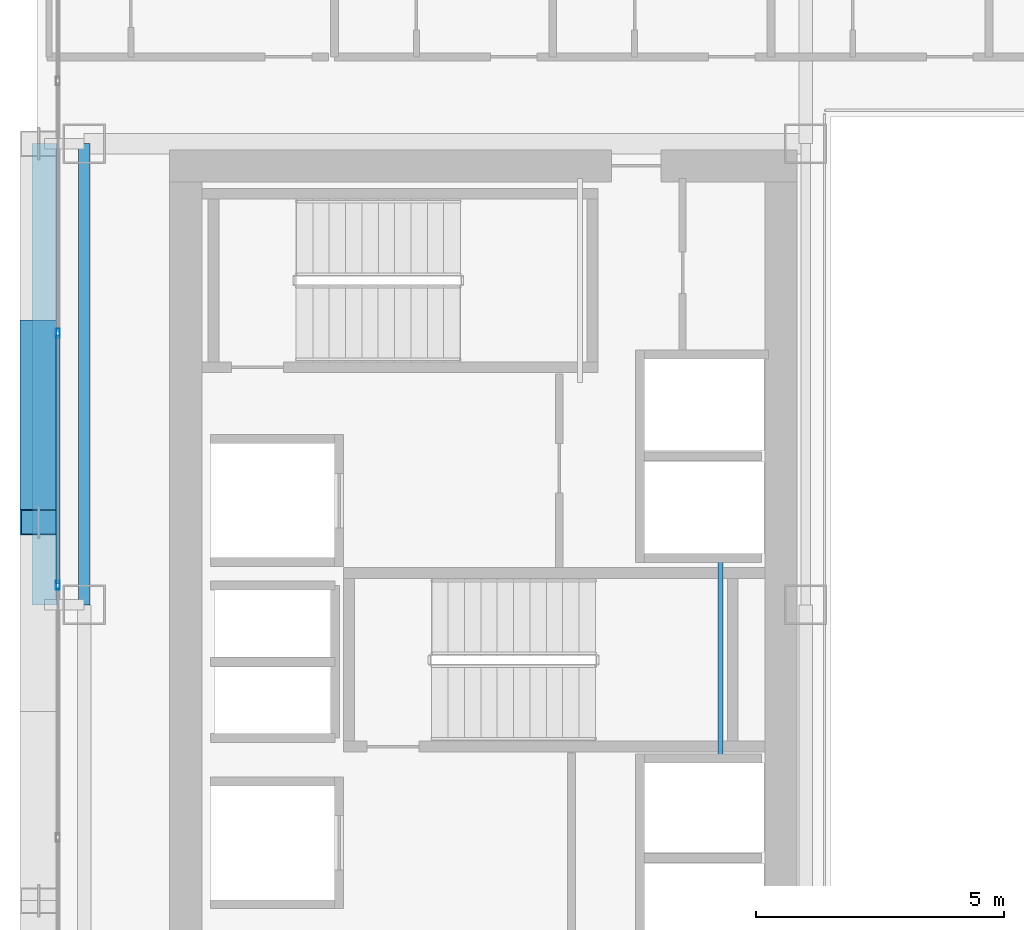
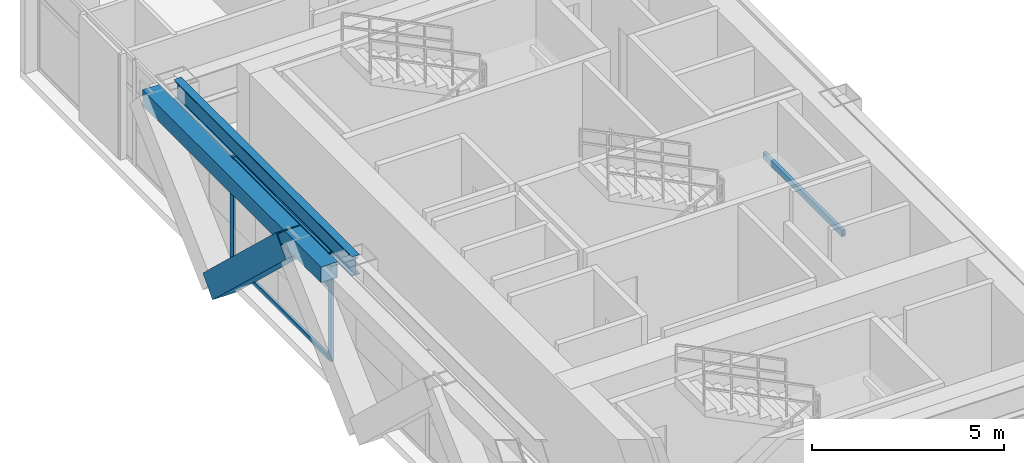
# One storey, part 8 of 36: 6 members, 3 beams, 1 element without a shape of its own.
"""IFC4 building model written with IfcOpenShell, lengths in metres."""

from ifc_helpers import new_model, si_unit, direction, frame, origin, origin_2d, place, context, subcontext, project, spatial, hollow_rectangle, i_section, extrude, source, transform, mapped, material, layer, layer_set, material_profile, profile_set, type_object, element, aggregate, save


model = new_model("IFC4")

# Units and contexts
model_context = context("Model", 3, precision=1e-05, world=origin(), true_north=direction((0.0, 1.0)))
body_context = subcontext(model_context, "Body", "Model", "MODEL_VIEW")
ifc_project = project(units=[si_unit("LENGTHUNIT", "METRE"), si_unit("AREAUNIT", "SQUARE_METRE"), si_unit("VOLUMEUNIT", "CUBIC_METRE"), si_unit("PLANEANGLEUNIT", "RADIAN"), si_unit("MASSUNIT", "GRAM", prefix="KILO")], contexts=[model_context])

# Site, building, storey
site_placement = place(None, origin())
site = spatial("IfcSite", under=ifc_project, at=site_placement, CompositionType="ELEMENT")
building_placement = place(site_placement, origin())
building = spatial("IfcBuilding", under=site, at=building_placement, Name="Ocotamira Hotel", CompositionType="ELEMENT")
storey_placement = place(building_placement, frame((0.0, 0.0, 129.60009765625)))
storey = spatial("IfcBuildingStorey", under=building, at=storey_placement, Name="L32", CompositionType="ELEMENT", Elevation=129.60009765625)

# Beams
ifc_material_1 = material(Name="Steel ASTM A500 Grade C", Category="steel")
ifc_material_profile_1 = material_profile(ifc_material_1, hollow_rectangle(XDim=0.10009765625, YDim=0.199951171875, WallThickness=0.008056640625, at=origin_2d()), Name="HSS200X100X8")
ifc_profile_set_1 = profile_set([ifc_material_profile_1], Name="Steel ASTM A500 Grade C")
beam_type_1 = type_object("IfcBeamType", Name="BM-STLDG-HSS200", PredefinedType="BEAM", material=ifc_profile_set_1)
shared_shape_1 = source(origin(), body_context, "Body", "SweptSolid", [
    extrude(hollow_rectangle(XDim=0.10009765625, YDim=0.199951171875, WallThickness=0.008056640625, at=origin_2d()), origin(), (0.0, 0.0, 1.0), 4.1201171875),
])
beam_1_placement = place(storey_placement, frame((21.780029296875, 24.97998046875, 1.5), z_axis=(0.0, 1.0, 0.0), x_axis=(-1.0, 0.0, 0.0)))
element("IfcBeam", 1, at=beam_1_placement, inside=storey, type_object=beam_type_1, Name="L32 Stair ST-3 Landing Bearer 1", PredefinedType="BEAM", context=body_context, shape_type="MappedRepresentation", body=[
    mapped(shared_shape_1, transform((0.0, 0.0, 0.0), scale=1.0)),
])
ifc_material_2 = material(Name="Steel ASTM A992 Grade 50", Category="steel")
ifc_material_profile_2 = material_profile(ifc_material_2, i_section(OverallWidth=0.22998046875, OverallDepth=0.616943359375, WebThickness=0.01318359375, FlangeThickness=0.022216796875, FilletRadius=0.012939453125, at=origin_2d()), Name="W24X94")
ifc_profile_set_2 = profile_set([ifc_material_profile_2], Name="Steel ASTM A992 Grade 50")
beam_type_2 = type_object("IfcBeamType", Name="BM-PRIM-W24X94", PredefinedType="BEAM", material=ifc_profile_set_2)
shared_shape_2 = source(origin(), body_context, "Body", "SweptSolid", [
    extrude(i_section(OverallWidth=0.22998046875, OverallDepth=0.616943359375, WebThickness=0.01318359375, FlangeThickness=0.022216796875, FilletRadius=0.012939453125, at=origin_2d()), origin(), (0.0, 0.0, 1.0), 9.300048828125),
])
beam_2_placement = place(storey_placement, frame((8.949951171875, 28.14990234375, 3.051513671875), z_axis=(0.0, 1.0, 0.0), x_axis=(-1.0, 0.0, 0.0)))
element("IfcBeam", 2, at=beam_2_placement, inside=storey, type_object=beam_type_2, Name="L32 Beam X8.95 Y28.15-37.45", PredefinedType="BEAM", context=body_context, shape_type="MappedRepresentation", body=[
    mapped(shared_shape_2, transform((0.0, 0.0, 0.0), scale=1.0)),
])
ifc_material_profile_3 = material_profile(ifc_material_1, hollow_rectangle(XDim=0.5, YDim=0.5, WallThickness=0.02001953125, at=origin_2d()), Name="HSS500X500X20")
ifc_profile_set_3 = profile_set([ifc_material_profile_3], Name="Steel ASTM A500 Grade C")
beam_type_3 = type_object("IfcBeamType", Name="BM-SPAN-HSS500", PredefinedType="USERDEFINED", material=ifc_profile_set_3)
shared_shape_3 = source(origin(), body_context, "Body", "SweptSolid", [
    extrude(hollow_rectangle(XDim=0.5, YDim=0.5, WallThickness=0.02001953125, at=origin_2d()), origin(), (0.0, 0.0, 1.0), 9.300048828125),
])
beam_3_placement = place(storey_placement, frame((8.14990234375, 28.14990234375, 3.10986328125), z_axis=(0.0, 1.0, 0.0), x_axis=(-1.0, 0.0, 0.0)))
element("IfcBeam", 3, at=beam_3_placement, inside=storey, type_object=beam_type_3, Name="L32 Edge Spandrel W Y28.15-37.45", ObjectType="SPANDREL", PredefinedType="USERDEFINED", context=body_context, shape_type="MappedRepresentation", body=[
    mapped(shared_shape_3, transform((0.0, 0.0, 0.0), scale=1.0)),
])

# Member
ifc_material_3 = material(Name="Pale-metal coated steel ASTM A913 Grade 65", Category="steel")
ifc_material_profile_4 = material_profile(ifc_material_3, hollow_rectangle(XDim=0.75, YDim=0.75, WallThickness=0.028076171875, at=origin_2d()), Name="BOX750X750X28")
ifc_profile_set_4 = profile_set([ifc_material_profile_4], Name="Pale-metal coated steel ASTM A913 Grade 65")
member_type_1 = type_object("IfcMemberType", Name="MEM-EXO-BOX750", PredefinedType="BRACE", material=ifc_profile_set_4)
shared_shape_4 = source(origin(), body_context, "Body", "SweptSolid", [
    extrude(hollow_rectangle(XDim=0.75, YDim=0.75, WallThickness=0.028076171875, at=origin_2d()), origin(), (0.0, 0.0, 1.0), 5.24658203125),
])
member_1_placement = place(storey_placement, frame((8.030029296875, 33.63330078125, -0.489990234375), z_axis=(0.0, -0.72746596067, 0.686143772154), x_axis=(1.0, 0.0, 0.0)))
element("IfcMember", 4, at=member_1_placement, inside=storey, type_object=member_type_1, Name="L32 Exoskeleton Diagrid W2.1", PredefinedType="BRACE", context=body_context, shape_type="MappedRepresentation", body=[
    mapped(shared_shape_4, transform((0.0, 0.0, 0.0), scale=1.0)),
])

# Curtain wall, members
ifc_material_4 = material(Name="Anodised pale-metal aluminium and solar glass", Category="aluminium")
ifc_layer = layer(ifc_material_4, 0.179931640625)
ifc_layer_set = layer_set([ifc_layer], Name="Anodised pale-metal aluminium and solar glass")
curtain_wall_type = type_object("IfcCurtainWallType", Name="CW-SYS3-Z2", PredefinedType="NOTDEFINED", material=ifc_layer_set)
curtain_wall_placement = place(storey_placement, origin())
curtain_wall = element("IfcCurtainWall", 5, at=curtain_wall_placement, inside=storey, type_object=curtain_wall_type, Name="L32 Curtain Wall CW-3 CW-L32-W", PredefinedType="NOTDEFINED")
ifc_material_5 = material(Name="Anodised pale-metal aluminium 6063-T6", Category="aluminium")
ifc_material_profile_5 = material_profile(ifc_material_5, hollow_rectangle(XDim=0.074951171875, YDim=0.14990234375, WallThickness=0.006103515625, at=origin_2d()), Name="HSS150X75X6")
ifc_profile_set_5 = profile_set([ifc_material_profile_5], Name="Anodised pale-metal aluminium 6063-T6")
member_type_2 = type_object("IfcMemberType", Name="CWT-150X75", PredefinedType="USERDEFINED", material=ifc_profile_set_5)
shared_shape_5 = source(origin(), body_context, "Body", "SweptSolid", [
    extrude(hollow_rectangle(XDim=0.074951171875, YDim=0.14990234375, WallThickness=0.006103515625, at=origin_2d()), origin(), (0.0, 0.0, 1.0), 5.005859375),
])
member_2_placement = place(storey_placement, frame((8.419921875, 28.582763671875, 0.037353515625), z_axis=(0.0, 1.0, 0.0), x_axis=(-1.0, 0.0, 0.0)))
member_2 = element("IfcMember", 6, at=member_2_placement, type_object=member_type_2, Name="CW-3 transom 5.1", ObjectType="TRANSOM", PredefinedType="USERDEFINED", context=body_context, shape_type="MappedRepresentation", body=[
    mapped(shared_shape_5, transform((0.0, 0.0, 0.0), scale=1.0)),
])
member_3_placement = place(storey_placement, frame((8.419921875, 28.582763671875, 2.349853515625), z_axis=(0.0, 1.0, 0.0), x_axis=(-1.0, 0.0, 0.0)))
member_3 = element("IfcMember", 7, at=member_3_placement, type_object=member_type_2, Name="CW-3 transom 5.2", ObjectType="TRANSOM", PredefinedType="USERDEFINED", context=body_context, shape_type="MappedRepresentation", body=[
    mapped(shared_shape_5, transform((0.0, 0.0, 0.0), scale=1.0)),
])
member_4_placement = place(storey_placement, frame((8.419921875, 28.582763671875, 3.322509765625), z_axis=(0.0, 1.0, 0.0), x_axis=(-1.0, 0.0, 0.0)))
member_4 = element("IfcMember", 8, at=member_4_placement, type_object=member_type_2, Name="CW-3 transom 5.3", ObjectType="TRANSOM", PredefinedType="USERDEFINED", context=body_context, shape_type="MappedRepresentation", body=[
    mapped(shared_shape_5, transform((0.0, 0.0, 0.0), scale=1.0)),
])
ifc_material_profile_6 = material_profile(ifc_material_5, hollow_rectangle(XDim=0.080078125, YDim=0.179931640625, WallThickness=0.006103515625, at=origin_2d()), Name="HSS180X80X6")
ifc_profile_set_6 = profile_set([ifc_material_profile_6], Name="Anodised pale-metal aluminium 6063-T6")
member_type_3 = type_object("IfcMemberType", Name="CWM-180X75", PredefinedType="MULLION", material=ifc_profile_set_6)
shared_shape_6 = source(origin(), body_context, "Body", "SweptSolid", [
    extrude(hollow_rectangle(XDim=0.080078125, YDim=0.179931640625, WallThickness=0.006103515625, at=origin_2d()), origin(), (0.0, 0.0, 1.0), 3.35986328125),
])
member_5_placement = place(storey_placement, frame((8.419921875, 28.54296875, 0.0), z_axis=(0.0, 0.0, 1.0), x_axis=(-1.0, 0.0, 0.0)))
member_5 = element("IfcMember", 9, at=member_5_placement, type_object=member_type_3, Name="CW-3 mullion 5", PredefinedType="MULLION", context=body_context, shape_type="MappedRepresentation", body=[
    mapped(shared_shape_6, transform((0.0, 0.0, 0.0), scale=1.0)),
])
member_6_placement = place(storey_placement, frame((8.419921875, 33.628662109375, 0.0), z_axis=(0.0, 0.0, 1.0), x_axis=(-1.0, 0.0, 0.0)))
member_6 = element("IfcMember", 10, at=member_6_placement, type_object=member_type_3, Name="CW-3 mullion 6", PredefinedType="MULLION", context=body_context, shape_type="MappedRepresentation", body=[
    mapped(shared_shape_6, transform((0.0, 0.0, 0.0), scale=1.0)),
])
aggregate(curtain_wall, [member_5, member_6, member_2, member_3, member_4])

save(model, "model.ifc")
